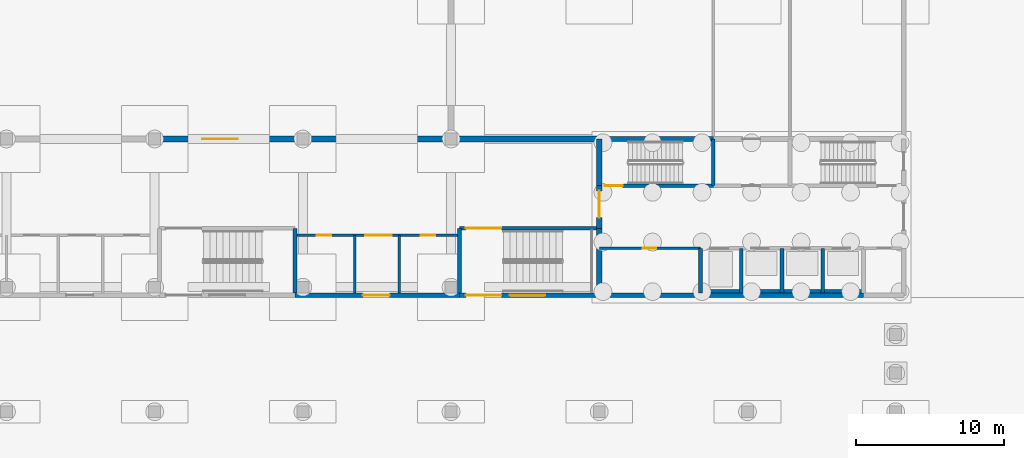
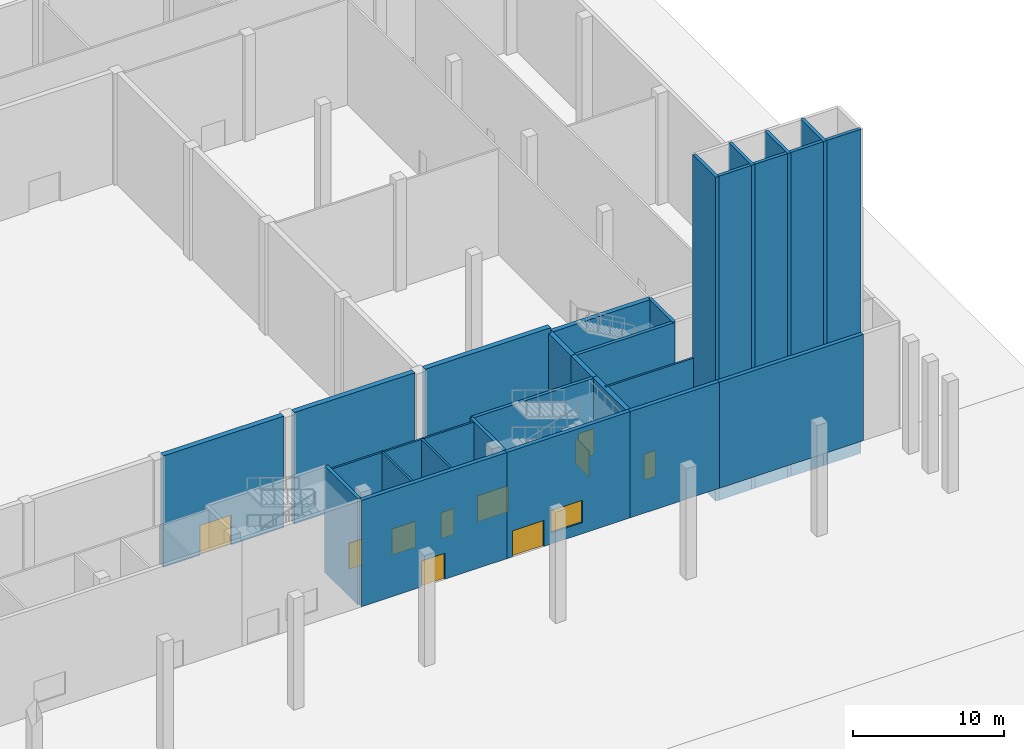
# One storey, part 33 of 63: 25 walls, 10 doors, 1 window, 11 openings.
"""IFC4 building model written with IfcOpenShell, lengths in metres."""

from ifc_helpers import new_model, si_unit, direction, frame, frame_2d, origin, place, context, subcontext, project, spatial, rectangle, extrude, material, layer, layer_set, type_object, element, fill, save


model = new_model("IFC4")

# Units and contexts
model_context = context("Model", 3, precision=1e-05, world=origin(), true_north=direction((0.0, 1.0)))
body_context = subcontext(model_context, "Body", "Model", "MODEL_VIEW")
ifc_project = project(units=[si_unit("LENGTHUNIT", "METRE"), si_unit("AREAUNIT", "SQUARE_METRE"), si_unit("VOLUMEUNIT", "CUBIC_METRE"), si_unit("PLANEANGLEUNIT", "RADIAN"), si_unit("MASSUNIT", "GRAM", prefix="KILO")], contexts=[model_context])

# Site, building, storey
site_placement = place(None, origin())
site = spatial("IfcSite", under=ifc_project, at=site_placement, CompositionType="ELEMENT")
building_placement = place(site_placement, origin())
building = spatial("IfcBuilding", under=site, at=building_placement, Name="Jabali Bay Hotel Tower and Convention Centre", CompositionType="ELEMENT")
storey_placement = place(building_placement, origin())
storey = spatial("IfcBuildingStorey", under=building, at=storey_placement, Name="L00", CompositionType="ELEMENT", Elevation=0.0)

# Walls
ifc_material_1 = material(Name="Concrete C60", Category="concrete")
ifc_layer_1 = layer(ifc_material_1, 0.35009765625)
ifc_layer_set_1 = layer_set([ifc_layer_1], Name="Concrete C60")
wall_type_1 = type_object("IfcWallType", Name="CC Core Wall 350", PredefinedType="SHEAR", material=ifc_layer_set_1)
wall_1_placement = place(storey_placement, frame((230.699951171875, 60.0, 0.0), z_axis=(0.0, 0.0, 1.0), x_axis=(1.0, 0.0, 0.0)))
element("IfcWall", 1, at=wall_1_placement, inside=storey, type_object=wall_type_1, Name="CC east core wall", PredefinedType="SHEAR", context=body_context, shape_type="SweptSolid", body=[
    extrude(rectangle(XDim=7.699951171875, YDim=0.35009765625, at=frame_2d((3.85009765625, 0.0))), origin(), (0.0, 0.0, 1.0), 8.590087890625),
])
wall_2_placement = place(storey_placement, frame((230.699951171875, 49.60009765625, 0.0), z_axis=(0.0, 0.0, 1.0), x_axis=(0.0, 1.0, 0.0)))
element("IfcWall", 2, at=wall_2_placement, inside=storey, type_object=wall_type_1, Name="CC east core wall", PredefinedType="SHEAR", context=body_context, shape_type="SweptSolid", body=[
    extrude(rectangle(XDim=4.375, YDim=0.35009765625, at=frame_2d((2.1875, 0.0))), origin(), (0.0, 0.0, 1.0), 8.590087890625),
])

# Wall, opening, door
wall_3_placement = place(storey_placement, frame((230.699951171875, 53.97509765625, 0.0), z_axis=(0.0, 0.0, 1.0), x_axis=(0.0, 1.0, 0.0)))
wall_3 = element("IfcWall", 3, at=wall_3_placement, inside=storey, type_object=wall_type_1, Name="CC east core wall", PredefinedType="SHEAR", context=body_context, shape_type="SweptSolid", body=[
    extrude(rectangle(XDim=2.875, YDim=0.35009765625, at=frame_2d((1.4375, 0.0))), origin(), (0.0, 0.0, 1.0), 8.590087890625),
])
opening_1_placement = place(wall_3_placement, frame((0.72509765625, 0.0, 0.0)))
opening_1 = element("IfcOpeningElement", 4, at=opening_1_placement, cuts=wall_3, Name="Opening CC-D015", PredefinedType="OPENING", context=body_context, shape_type="SweptSolid", body=[
    extrude(rectangle(XDim=1.800048828125, YDim=2.10009765625, at=frame_2d((0.89990234375, 1.050048828125))), frame((0.0, 0.185546875, 0.0), z_axis=(0.0, -1.0, 0.0), x_axis=(1.0, 0.0, 0.0)), (0.0, 0.0, 1.0), 0.37109375),
])
ifc_material_2 = material(Name="Timber and steel door set", Category="steel")
door_type_1 = type_object("IfcDoorType", Name="CC Double Door 1800x2100", OperationType="NOTDEFINED", PredefinedType="DOOR", material=ifc_material_2)
door_1_placement = place(opening_1_placement, origin())
door_1 = element("IfcDoor", 5, at=door_1_placement, inside=storey, type_object=door_type_1, Name="CC door CC-D015", OperationType="DOUBLE_DOOR_SINGLE_SWING", OverallHeight=2.10009765625, OverallWidth=1.800048828125, PredefinedType="DOOR", context=body_context, shape_type="SweptSolid", body=[
    extrude(rectangle(XDim=1.800048828125, YDim=2.10009765625, at=frame_2d((0.89990234375, 1.050048828125))), frame((0.0, 0.02490234375, 0.0), z_axis=(0.0, -1.0, 0.0), x_axis=(1.0, 0.0, 0.0)), (0.0, 0.0, 1.0), 0.050048828125),
])
fill(opening_1, door_1)

# Walls
wall_4_placement = place(storey_placement, frame((230.699951171875, 56.85009765625, 0.0), z_axis=(0.0, 0.0, 1.0), x_axis=(0.0, 1.0, 0.0)))
element("IfcWall", 6, at=wall_4_placement, inside=storey, type_object=wall_type_1, Name="CC east core wall", PredefinedType="SHEAR", context=body_context, shape_type="SweptSolid", body=[
    extrude(rectangle(XDim=3.14990234375, YDim=0.35009765625, at=frame_2d((1.574951171875, 0.0))), origin(), (0.0, 0.0, 1.0), 8.590087890625),
])
ifc_material_3 = material(Name="Concrete C40", Category="concrete")
ifc_layer_2 = layer(ifc_material_3, 0.300048828125)
ifc_layer_set_2 = layer_set([ifc_layer_2], Name="Concrete C40")
wall_type_2 = type_object("IfcWallType", Name="CC External Wall 300", PredefinedType="SOLIDWALL", material=ifc_layer_set_2)
wall_5_placement = place(storey_placement, frame((230.699951171875, 49.449951171875, 0.0), z_axis=(0.0, 0.0, 1.0), x_axis=(1.0, 0.0, 0.0)))
element("IfcWall", 7, at=wall_5_placement, inside=storey, type_object=wall_type_2, Name="CC wall 225", PredefinedType="SOLIDWALL", context=body_context, shape_type="SweptSolid", body=[
    extrude(rectangle(XDim=6.824951171875, YDim=0.300048828125, at=frame_2d((3.41259765625, 0.0))), origin(), (0.0, 0.0, 1.0), 8.590087890625),
])

# Wall, opening, door
wall_6_placement = place(storey_placement, frame((221.27490234375, 49.449951171875, 0.0), z_axis=(0.0, 0.0, 1.0), x_axis=(-1.0, 0.0, 0.0)))
wall_6 = element("IfcWall", 8, at=wall_6_placement, inside=storey, type_object=wall_type_2, Name="CC wall 261", PredefinedType="SOLIDWALL", context=body_context, shape_type="SweptSolid", body=[
    extrude(rectangle(XDim=11.099853515625, YDim=0.300048828125, at=frame_2d((5.5498046875, 0.0))), origin(), (0.0, 0.0, 1.0), 8.590087890625),
])
opening_2_placement = place(wall_6_placement, frame((4.72509765625, 0.0, 0.0)))
opening_2 = element("IfcOpeningElement", 9, at=opening_2_placement, cuts=wall_6, Name="Opening CC-D088", PredefinedType="OPENING", context=body_context, shape_type="SweptSolid", body=[
    extrude(rectangle(XDim=1.800048828125, YDim=2.10009765625, at=frame_2d((0.89990234375, 1.050048828125))), frame((0.0, 0.16064453125, 0.0), z_axis=(0.0, -1.0, 0.0), x_axis=(1.0, 0.0, 0.0)), (0.0, 0.0, 1.0), 0.321044921875),
])
door_type_2 = type_object("IfcDoorType", Name="CC Exit Double Door 1800x2100", OperationType="NOTDEFINED", PredefinedType="DOOR", material=ifc_material_2)
door_2_placement = place(opening_2_placement, origin())
door_2 = element("IfcDoor", 10, at=door_2_placement, inside=storey, type_object=door_type_2, Name="CC door CC-D088", OperationType="DOUBLE_DOOR_SINGLE_SWING", OverallHeight=2.10009765625, OverallWidth=1.800048828125, PredefinedType="DOOR", context=body_context, shape_type="SweptSolid", body=[
    extrude(rectangle(XDim=1.800048828125, YDim=2.10009765625, at=frame_2d((0.89990234375, 1.050048828125))), frame((0.0, 0.02490234375, 0.0), z_axis=(0.0, -1.0, 0.0), x_axis=(1.0, 0.0, 0.0)), (0.0, 0.0, 1.0), 0.050048828125),
])
fill(opening_2, door_2)

# Wall, openings, door, window
wall_7_placement = place(storey_placement, frame((230.699951171875, 49.449951171875, 0.0), z_axis=(0.0, 0.0, 1.0), x_axis=(-1.0, 0.0, 0.0)))
wall_7 = element("IfcWall", 11, at=wall_7_placement, inside=storey, type_object=wall_type_2, Name="CC wall 262", PredefinedType="SOLIDWALL", context=body_context, shape_type="SweptSolid", body=[
    extrude(rectangle(XDim=9.425048828125, YDim=0.300048828125, at=frame_2d((4.71240234375, 0.0))), origin(), (0.0, 0.0, 1.0), 8.590087890625),
])
opening_3_placement = place(wall_7_placement, frame((6.60009765625, 0.0, 0.0)))
opening_3 = element("IfcOpeningElement", 12, at=opening_3_placement, cuts=wall_7, Name="Opening CC-D230", PredefinedType="OPENING", context=body_context, shape_type="SweptSolid", body=[
    extrude(rectangle(XDim=2.39990234375, YDim=2.10009765625, at=frame_2d((1.199951171875, 1.050048828125))), frame((0.0, 0.16064453125, 0.0), z_axis=(0.0, -1.0, 0.0), x_axis=(1.0, 0.0, 0.0)), (0.0, 0.0, 1.0), 0.321044921875),
])
opening_4_placement = place(wall_7_placement, frame((3.64990234375, 0.0, 0.89990234375)))
opening_4 = element("IfcOpeningElement", 13, at=opening_4_placement, cuts=wall_7, Name="Opening CC-W006", PredefinedType="OPENING", context=body_context, shape_type="SweptSolid", body=[
    extrude(rectangle(XDim=2.39990234375, YDim=1.800048828125, at=frame_2d((1.199951171875, 0.89990234375))), frame((0.0, 0.16064453125, 0.0), z_axis=(0.0, -1.0, 0.0), x_axis=(1.0, 0.0, 0.0)), (0.0, 0.0, 1.0), 0.321044921875),
])
door_type_3 = type_object("IfcDoorType", Name="CC Stair Door Pair 2400x2100", OperationType="NOTDEFINED", PredefinedType="DOOR", material=ifc_material_2)
door_3_placement = place(opening_3_placement, origin())
door_3 = element("IfcDoor", 14, at=door_3_placement, inside=storey, type_object=door_type_3, Name="CC door CC-D230", OperationType="DOUBLE_DOOR_SINGLE_SWING", OverallHeight=2.10009765625, OverallWidth=2.39990234375, PredefinedType="DOOR", context=body_context, shape_type="SweptSolid", body=[
    extrude(rectangle(XDim=2.39990234375, YDim=2.10009765625, at=frame_2d((1.199951171875, 1.050048828125))), frame((0.0, 0.02490234375, 0.0), z_axis=(0.0, -1.0, 0.0), x_axis=(1.0, 0.0, 0.0)), (0.0, 0.0, 1.0), 0.050048828125),
])
fill(opening_3, door_3)
ifc_material_4 = material(Name="Aluminium 6063-T5 and glass", Category="aluminium")
window_type = type_object("IfcWindowType", Name="CC Window 2400x1800", PartitioningType="DOUBLE_PANEL_VERTICAL", PredefinedType="WINDOW", material=ifc_material_4)
window_placement = place(opening_4_placement, origin())
window = element("IfcWindow", 15, at=window_placement, inside=storey, type_object=window_type, Name="CC window CC-W006", OverallHeight=1.800048828125, OverallWidth=2.39990234375, PartitioningType="DOUBLE_PANEL_VERTICAL", PredefinedType="WINDOW", context=body_context, shape_type="SweptSolid", body=[
    extrude(rectangle(XDim=2.39990234375, YDim=1.800048828125, at=frame_2d((1.199951171875, 0.89990234375))), frame((0.0, 0.030029296875, 0.0), z_axis=(0.0, -1.0, 0.0), x_axis=(1.0, 0.0, 0.0)), (0.0, 0.0, 1.0), 0.06005859375),
])
fill(opening_4, window)

# Wall
wall_8_placement = place(storey_placement, frame((237.52490234375, 49.449951171875, 0.0), z_axis=(0.0, 0.0, 1.0), x_axis=(1.0, 0.0, 0.0)))
element("IfcWall", 16, at=wall_8_placement, inside=storey, type_object=wall_type_2, Name="CC wall 263", PredefinedType="SOLIDWALL", context=body_context, shape_type="SweptSolid", body=[
    extrude(rectangle(XDim=11.0, YDim=0.300048828125, at=frame_2d((5.5, 0.0))), origin(), (0.0, 0.0, 1.0), 8.590087890625),
])

# Wall, opening, door
ifc_layer_3 = layer(ifc_material_3, 0.39990234375)
ifc_layer_set_3 = layer_set([ifc_layer_3], Name="Concrete C40")
wall_type_3 = type_object("IfcWallType", Name="CC Hall Wall 400", PredefinedType="SHEAR", material=ifc_layer_set_3)
wall_9_placement = place(storey_placement, frame((210.300048828125, 60.0, 0.0), z_axis=(0.0, 0.0, 1.0), x_axis=(-1.0, 0.0, 0.0)))
wall_9 = element("IfcWall", 17, at=wall_9_placement, inside=storey, type_object=wall_type_3, Name="CC exhibition hall wall", PredefinedType="SHEAR", context=body_context, shape_type="SweptSolid", body=[
    extrude(rectangle(XDim=9.199951171875, YDim=0.39990234375, at=frame_2d((4.60009765625, 0.0))), origin(), (0.0, 0.0, 1.0), 9.0),
])
opening_5_placement = place(wall_9_placement, frame((4.0, 0.0, 0.0)))
opening_5 = element("IfcOpeningElement", 18, at=opening_5_placement, cuts=wall_9, Name="Opening CC-D071", PredefinedType="OPENING", context=body_context, shape_type="SweptSolid", body=[
    extrude(rectangle(XDim=2.39990234375, YDim=2.39990234375, at=frame_2d((1.199951171875, 1.199951171875))), frame((0.0, 0.21044921875, 0.0), z_axis=(0.0, -1.0, 0.0), x_axis=(1.0, 0.0, 0.0)), (0.0, 0.0, 1.0), 0.4208984375),
])
door_type_4 = type_object("IfcDoorType", Name="CC Hall Double Door 2400x2400", OperationType="NOTDEFINED", PredefinedType="DOOR", material=ifc_material_2)
door_4_placement = place(opening_5_placement, origin())
door_4 = element("IfcDoor", 19, at=door_4_placement, inside=storey, type_object=door_type_4, Name="CC door CC-D071", OperationType="DOUBLE_DOOR_SINGLE_SWING", OverallHeight=2.39990234375, OverallWidth=2.39990234375, PredefinedType="DOOR", context=body_context, shape_type="SweptSolid", body=[
    extrude(rectangle(XDim=2.39990234375, YDim=2.39990234375, at=frame_2d((1.199951171875, 1.199951171875))), frame((0.0, 0.02490234375, 0.0), z_axis=(0.0, -1.0, 0.0), x_axis=(1.0, 0.0, 0.0)), (0.0, 0.0, 1.0), 0.050048828125),
])
fill(opening_5, door_4)

# Walls
wall_10_placement = place(storey_placement, frame((211.10009765625, 60.0, 0.0), z_axis=(0.0, 0.0, 1.0), x_axis=(1.0, 0.0, 0.0)))
element("IfcWall", 20, at=wall_10_placement, inside=storey, type_object=wall_type_3, Name="CC exhibition hall wall", PredefinedType="SHEAR", context=body_context, shape_type="SweptSolid", body=[
    extrude(rectangle(XDim=9.199951171875, YDim=0.39990234375, at=frame_2d((4.60009765625, 0.0))), origin(), (0.0, 0.0, 1.0), 9.0),
])
wall_11_placement = place(storey_placement, frame((221.10009765625, 60.0, 0.0), z_axis=(0.0, 0.0, 1.0), x_axis=(1.0, 0.0, 0.0)))
element("IfcWall", 21, at=wall_11_placement, inside=storey, type_object=wall_type_3, Name="CC plenary hall wall", PredefinedType="SHEAR", context=body_context, shape_type="SweptSolid", body=[
    extrude(rectangle(XDim=9.599853515625, YDim=0.39990234375, at=frame_2d((4.7998046875, 0.0))), origin(), (0.0, 0.0, 1.0), 9.0),
])

# Wall, opening, door
ifc_material_5 = material(Name="Blockwork M10", Category="masonry")
ifc_layer_4 = layer(ifc_material_5, 0.14990234375)
ifc_layer_set_4 = layer_set([ifc_layer_4], Name="Blockwork M10")
wall_type_4 = type_object("IfcWallType", Name="CC Partition 150", PredefinedType="PARTITIONING", material=ifc_layer_set_4)
wall_12_placement = place(storey_placement, frame((237.52490234375, 52.625, 0.0), z_axis=(0.0, 0.0, 1.0), x_axis=(-1.0, 0.0, 0.0)))
wall_12 = element("IfcWall", 22, at=wall_12_placement, inside=storey, type_object=wall_type_4, Name="CC wall 226", PredefinedType="PARTITIONING", context=body_context, shape_type="SweptSolid", body=[
    extrude(rectangle(XDim=6.824951171875, YDim=0.14990234375, at=frame_2d((3.41259765625, 0.0))), origin(), (0.0, 0.0, 1.0), 8.590087890625),
])
opening_6_placement = place(wall_12_placement, frame((2.97509765625, 0.0, 0.0)))
opening_6 = element("IfcOpeningElement", 23, at=opening_6_placement, cuts=wall_12, Name="Opening CC-D183", PredefinedType="OPENING", context=body_context, shape_type="SweptSolid", body=[
    extrude(rectangle(XDim=0.89990234375, YDim=2.10009765625, at=frame_2d((0.449951171875, 1.050048828125))), frame((0.0, 0.08544921875, 0.0), z_axis=(0.0, -1.0, 0.0), x_axis=(1.0, 0.0, 0.0)), (0.0, 0.0, 1.0), 0.1708984375),
])
door_type_5 = type_object("IfcDoorType", Name="CC Riser Door 900x2100", OperationType="NOTDEFINED", PredefinedType="DOOR", material=ifc_material_2)
door_5_placement = place(opening_6_placement, origin())
door_5 = element("IfcDoor", 24, at=door_5_placement, inside=storey, type_object=door_type_5, Name="CC door CC-D183", OperationType="SINGLE_SWING_LEFT", OverallHeight=2.10009765625, OverallWidth=0.89990234375, PredefinedType="DOOR", context=body_context, shape_type="SweptSolid", body=[
    extrude(rectangle(XDim=0.89990234375, YDim=2.10009765625, at=frame_2d((0.449951171875, 1.050048828125))), frame((0.0, 0.02490234375, 0.0), z_axis=(0.0, -1.0, 0.0), x_axis=(1.0, 0.0, 0.0)), (0.0, 0.0, 1.0), 0.050048828125),
])
fill(opening_6, door_5)

# Wall, openings, doors
wall_13_placement = place(storey_placement, frame((210.175048828125, 53.5, 0.0), z_axis=(0.0, 0.0, 1.0), x_axis=(1.0, 0.0, 0.0)))
wall_13 = element("IfcWall", 25, at=wall_13_placement, inside=storey, type_object=wall_type_4, Name="CC wall 349", PredefinedType="PARTITIONING", context=body_context, shape_type="SweptSolid", body=[
    extrude(rectangle(XDim=11.099853515625, YDim=0.14990234375, at=frame_2d((5.5498046875, 0.0))), origin(), (0.0, 0.0, 1.0), 8.590087890625),
])
opening_7_placement = place(wall_13_placement, frame((8.47509765625, 0.0, 0.0)))
opening_7 = element("IfcOpeningElement", 26, at=opening_7_placement, cuts=wall_13, Name="Opening CC-D003", PredefinedType="OPENING", context=body_context, shape_type="SweptSolid", body=[
    extrude(rectangle(XDim=1.0, YDim=2.10009765625, at=frame_2d((0.5, 1.050048828125))), frame((0.0, 0.08544921875, 0.0), z_axis=(0.0, -1.0, 0.0), x_axis=(1.0, 0.0, 0.0)), (0.0, 0.0, 1.0), 0.1708984375),
])
opening_8_placement = place(wall_13_placement, frame((1.449951171875, 0.0, 0.0)))
opening_8 = element("IfcOpeningElement", 27, at=opening_8_placement, cuts=wall_13, Name="Opening CC-D005", PredefinedType="OPENING", context=body_context, shape_type="SweptSolid", body=[
    extrude(rectangle(XDim=1.0, YDim=2.10009765625, at=frame_2d((0.5, 1.050048828125))), frame((0.0, 0.08544921875, 0.0), z_axis=(0.0, -1.0, 0.0), x_axis=(1.0, 0.0, 0.0)), (0.0, 0.0, 1.0), 0.1708984375),
])
opening_9_placement = place(wall_13_placement, frame((4.72509765625, 0.0, 0.0)))
opening_9 = element("IfcOpeningElement", 28, at=opening_9_placement, cuts=wall_13, Name="Opening CC-D008", PredefinedType="OPENING", context=body_context, shape_type="SweptSolid", body=[
    extrude(rectangle(XDim=1.800048828125, YDim=2.10009765625, at=frame_2d((0.89990234375, 1.050048828125))), frame((0.0, 0.08544921875, 0.0), z_axis=(0.0, -1.0, 0.0), x_axis=(1.0, 0.0, 0.0)), (0.0, 0.0, 1.0), 0.1708984375),
])
door_6_placement = place(opening_9_placement, origin())
door_6 = element("IfcDoor", 29, at=door_6_placement, inside=storey, type_object=door_type_1, Name="CC door CC-D008", OperationType="DOUBLE_DOOR_SINGLE_SWING", OverallHeight=2.10009765625, OverallWidth=1.800048828125, PredefinedType="DOOR", context=body_context, shape_type="SweptSolid", body=[
    extrude(rectangle(XDim=1.800048828125, YDim=2.10009765625, at=frame_2d((0.89990234375, 1.050048828125))), frame((0.0, 0.02490234375, 0.0), z_axis=(0.0, -1.0, 0.0), x_axis=(1.0, 0.0, 0.0)), (0.0, 0.0, 1.0), 0.050048828125),
])
fill(opening_9, door_6)
door_type_6 = type_object("IfcDoorType", Name="CC Single Door 1000x2100", OperationType="NOTDEFINED", PredefinedType="DOOR", material=ifc_material_2)
door_7_placement = place(opening_7_placement, origin())
door_7 = element("IfcDoor", 30, at=door_7_placement, inside=storey, type_object=door_type_6, Name="CC door CC-D003", OperationType="SINGLE_SWING_LEFT", OverallHeight=2.10009765625, OverallWidth=1.0, PredefinedType="DOOR", context=body_context, shape_type="SweptSolid", body=[
    extrude(rectangle(XDim=1.0, YDim=2.10009765625, at=frame_2d((0.5, 1.050048828125))), frame((0.0, 0.02490234375, 0.0), z_axis=(0.0, -1.0, 0.0), x_axis=(1.0, 0.0, 0.0)), (0.0, 0.0, 1.0), 0.050048828125),
])
fill(opening_7, door_7)
door_8_placement = place(opening_8_placement, origin())
door_8 = element("IfcDoor", 31, at=door_8_placement, inside=storey, type_object=door_type_6, Name="CC door CC-D005", OperationType="SINGLE_SWING_LEFT", OverallHeight=2.10009765625, OverallWidth=1.0, PredefinedType="DOOR", context=body_context, shape_type="SweptSolid", body=[
    extrude(rectangle(XDim=1.0, YDim=2.10009765625, at=frame_2d((0.5, 1.050048828125))), frame((0.0, 0.02490234375, 0.0), z_axis=(0.0, -1.0, 0.0), x_axis=(1.0, 0.0, 0.0)), (0.0, 0.0, 1.0), 0.050048828125),
])
fill(opening_8, door_8)

# Walls
for number, where, z_axis, x_axis, name in (
    (32, (214.199951171875, 49.60009765625, 0.0), (0.0, 0.0, 1.0), (0.0, 1.0, 0.0), "CC wall 365"),
    (33, (217.199951171875, 49.60009765625, 0.0), (0.0, 0.0, 1.0), (0.0, 1.0, 0.0), "CC wall 366"),
):
    element("IfcWall", number, at=place(storey_placement, frame(where, z_axis=z_axis, x_axis=x_axis)), inside=storey, type_object=wall_type_4, Name=name, PredefinedType="PARTITIONING", context=body_context, shape_type="SweptSolid", body=[
        extrude(rectangle(XDim=3.89990234375, YDim=0.14990234375, at=frame_2d((1.949951171875, 0.0))), origin(), (0.0, 0.0, 1.0), 8.590087890625),
    ])

# Wall, opening, door
ifc_layer_5 = layer(ifc_material_3, 0.25)
ifc_layer_set_5 = layer_set([ifc_layer_5], Name="Concrete C40")
wall_type_5 = type_object("IfcWallType", Name="CC Shaft Wall 250", PredefinedType="SHEAR", material=ifc_layer_set_5)
wall_14_placement = place(storey_placement, frame((238.39990234375, 56.85009765625, 0.0), z_axis=(0.0, 0.0, 1.0), x_axis=(-1.0, 0.0, 0.0)))
wall_14 = element("IfcWall", 34, at=wall_14_placement, inside=storey, type_object=wall_type_5, Name="CC east core wall", PredefinedType="SHEAR", context=body_context, shape_type="SweptSolid", body=[
    extrude(rectangle(XDim=7.699951171875, YDim=0.25, at=frame_2d((3.85009765625, 0.0))), origin(), (0.0, 0.0, 1.0), 8.590087890625),
])
opening_10_placement = place(wall_14_placement, frame((6.125, 0.0, 0.0)))
opening_10 = element("IfcOpeningElement", 35, at=opening_10_placement, cuts=wall_14, Name="Opening CC-D176", PredefinedType="OPENING", context=body_context, shape_type="SweptSolid", body=[
    extrude(rectangle(XDim=1.199951171875, YDim=2.10009765625, at=frame_2d((0.60009765625, 1.050048828125))), frame((0.0, 0.135498046875, 0.0), z_axis=(0.0, -1.0, 0.0), x_axis=(1.0, 0.0, 0.0)), (0.0, 0.0, 1.0), 0.27099609375),
])
door_type_7 = type_object("IfcDoorType", Name="CC Stair Door 1200x2100", OperationType="NOTDEFINED", PredefinedType="DOOR", material=ifc_material_2)
door_9_placement = place(opening_10_placement, origin())
door_9 = element("IfcDoor", 36, at=door_9_placement, inside=storey, type_object=door_type_7, Name="CC door CC-D176", OperationType="SINGLE_SWING_RIGHT", OverallHeight=2.10009765625, OverallWidth=1.199951171875, PredefinedType="DOOR", context=body_context, shape_type="SweptSolid", body=[
    extrude(rectangle(XDim=1.199951171875, YDim=2.10009765625, at=frame_2d((0.60009765625, 1.050048828125))), frame((0.0, 0.02490234375, 0.0), z_axis=(0.0, -1.0, 0.0), x_axis=(1.0, 0.0, 0.0)), (0.0, 0.0, 1.0), 0.050048828125),
])
fill(opening_10, door_9)

# Walls
wall_15_placement = place(storey_placement, frame((238.39990234375, 56.85009765625, 0.0), z_axis=(0.0, 0.0, 1.0), x_axis=(0.0, 1.0, 0.0)))
element("IfcWall", 37, at=wall_15_placement, inside=storey, type_object=wall_type_5, Name="CC east core wall", PredefinedType="SHEAR", context=body_context, shape_type="SweptSolid", body=[
    extrude(rectangle(XDim=3.14990234375, YDim=0.25, at=frame_2d((1.574951171875, 0.0))), origin(), (0.0, 0.0, 1.0), 8.590087890625),
])
for number, where, z_axis, x_axis, name in (
    (38, (245.77490234375, 49.60009765625, -1.199951171875), (0.0, 0.0, 1.0), (0.0, 1.0, 0.0), "CC east lift shaft wall"),
    (39, (243.02490234375, 49.60009765625, -1.199951171875), (0.0, 0.0, 1.0), (0.0, 1.0, 0.0), "CC east lift shaft wall"),
    (40, (240.27490234375, 49.60009765625, -1.199951171875), (0.0, 0.0, 1.0), (0.0, 1.0, 0.0), "CC east lift shaft wall"),
    (41, (237.52490234375, 49.60009765625, -1.199951171875), (0.0, 0.0, 1.0), (0.0, 1.0, 0.0), "CC east lift shaft wall"),
):
    element("IfcWall", number, at=place(storey_placement, frame(where, z_axis=z_axis, x_axis=x_axis)), inside=storey, type_object=wall_type_5, Name=name, PredefinedType="SHEAR", context=body_context, shape_type="SweptSolid", body=[
        extrude(rectangle(XDim=3.02490234375, YDim=0.25, at=frame_2d((1.512451171875, 0.0))), origin(), (0.0, 0.0, 1.0), 26.18994140625),
    ])
wall_16_placement = place(storey_placement, frame((237.52490234375, 49.72509765625, -1.199951171875), z_axis=(0.0, 0.0, 1.0), x_axis=(1.0, 0.0, 0.0)))
element("IfcWall", 42, at=wall_16_placement, inside=storey, type_object=wall_type_5, Name="CC east lift shaft wall", PredefinedType="SHEAR", context=body_context, shape_type="SweptSolid", body=[
    extrude(rectangle(XDim=11.0, YDim=0.25, at=frame_2d((5.5, 0.0))), origin(), (0.0, 0.0, 1.0), 26.18994140625),
])
wall_17_placement = place(storey_placement, frame((210.175048828125, 49.60009765625, 0.0), z_axis=(0.0, 0.0, 1.0), x_axis=(0.0, 1.0, 0.0)))
element("IfcWall", 43, at=wall_17_placement, inside=storey, type_object=wall_type_5, Name="CC wall 355", PredefinedType="SHEAR", context=body_context, shape_type="SweptSolid", body=[
    extrude(rectangle(XDim=4.375, YDim=0.25, at=frame_2d((2.1875, 0.0))), origin(), (0.0, 0.0, 1.0), 8.590087890625),
])

# Wall, opening, door
wall_18_placement = place(storey_placement, frame((221.27490234375, 53.97509765625, 0.0), z_axis=(0.0, 0.0, 1.0), x_axis=(1.0, 0.0, 0.0)))
wall_18 = element("IfcWall", 44, at=wall_18_placement, inside=storey, type_object=wall_type_5, Name="CC wall 356", PredefinedType="SHEAR", context=body_context, shape_type="SweptSolid", body=[
    extrude(rectangle(XDim=9.425048828125, YDim=0.25, at=frame_2d((4.71240234375, 0.0))), origin(), (0.0, 0.0, 1.0), 8.590087890625),
])
opening_11_placement = place(wall_18_placement, frame((0.425048828125, 0.0, 0.0)))
opening_11 = element("IfcOpeningElement", 45, at=opening_11_placement, cuts=wall_18, Name="Opening CC-D225", PredefinedType="OPENING", context=body_context, shape_type="SweptSolid", body=[
    extrude(rectangle(XDim=2.39990234375, YDim=2.10009765625, at=frame_2d((1.199951171875, 1.050048828125))), frame((0.0, 0.135498046875, 0.0), z_axis=(0.0, -1.0, 0.0), x_axis=(1.0, 0.0, 0.0)), (0.0, 0.0, 1.0), 0.27099609375),
])
door_10_placement = place(opening_11_placement, origin())
door_10 = element("IfcDoor", 46, at=door_10_placement, inside=storey, type_object=door_type_3, Name="CC door CC-D225", OperationType="DOUBLE_DOOR_SINGLE_SWING", OverallHeight=2.10009765625, OverallWidth=2.39990234375, PredefinedType="DOOR", context=body_context, shape_type="SweptSolid", body=[
    extrude(rectangle(XDim=2.39990234375, YDim=2.10009765625, at=frame_2d((1.199951171875, 1.050048828125))), frame((0.0, 0.02490234375, 0.0), z_axis=(0.0, -1.0, 0.0), x_axis=(1.0, 0.0, 0.0)), (0.0, 0.0, 1.0), 0.050048828125),
])
fill(opening_11, door_10)

# Wall
wall_19_placement = place(storey_placement, frame((221.27490234375, 49.60009765625, 0.0), z_axis=(0.0, 0.0, 1.0), x_axis=(0.0, 1.0, 0.0)))
element("IfcWall", 47, at=wall_19_placement, inside=storey, type_object=wall_type_5, Name="CC wall 357", PredefinedType="SHEAR", context=body_context, shape_type="SweptSolid", body=[
    extrude(rectangle(XDim=4.375, YDim=0.25, at=frame_2d((2.1875, 0.0))), origin(), (0.0, 0.0, 1.0), 8.590087890625),
])

save(model, "model.ifc")
